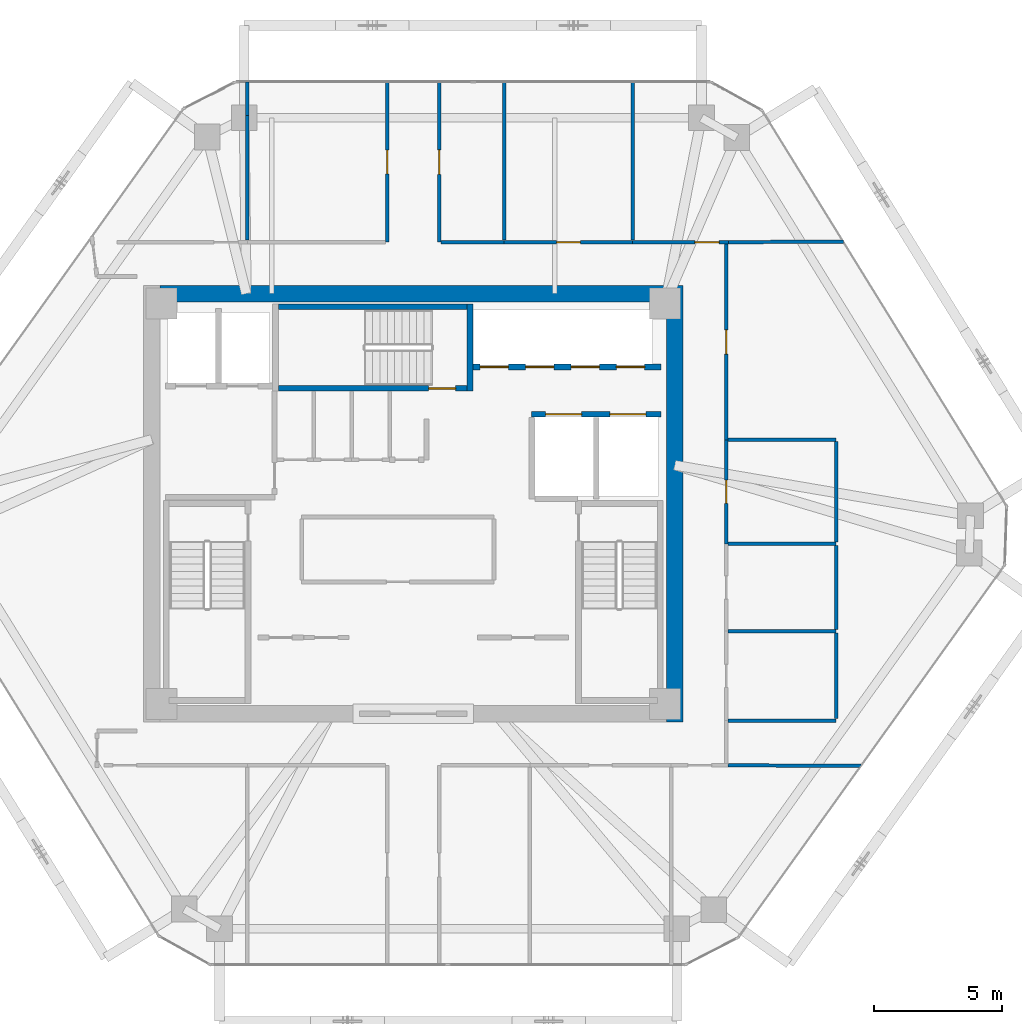
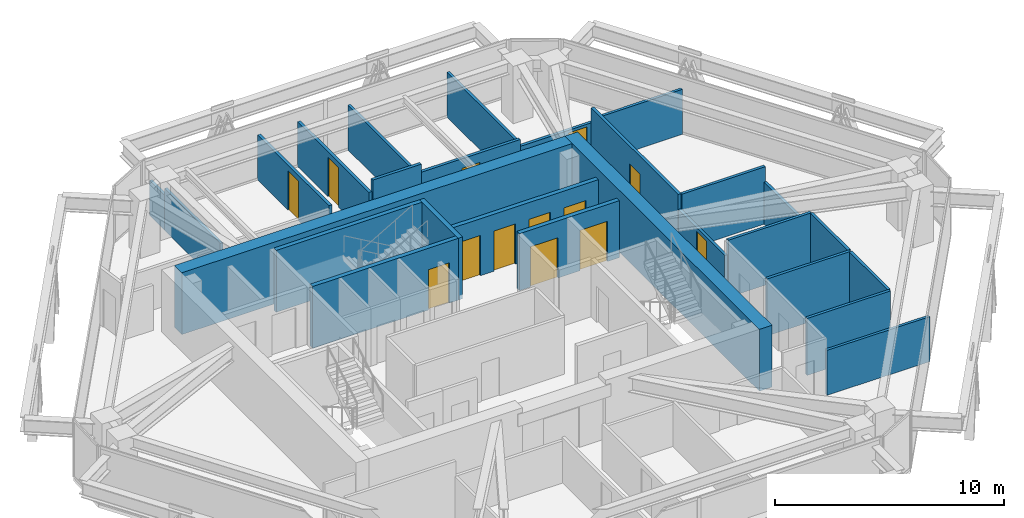
# One storey, part 12 of 14: 27 walls, 13 doors, 13 openings.
"""IFC4 building model written with IfcOpenShell, lengths in metres."""

import ifcopenshell
import ifcopenshell.guid

model = None  # the IFC model being written
_history = None  # IfcOwnerHistory: only IFC2X3 demands one
_inside = {}  # id of a spatial element -> (the spatial element, [elements in it])
_under = {}  # id of a project, library or spatial element -> (it, [spatial elements below it])
_declared = {}  # id of a project -> (the project, [libraries it declares])
_typed = {}  # id of a type object -> (the type object, [elements of that type])
_made_of = {}  # id of a material, layer set ... -> (it, [elements and type objects made of it])


def new_model(schema):
    """Start an empty IFC model of exactly this schema.

    Asked for "IFC4X3", IfcOpenShell would pick the latest addendum, in which some entities
    have other attributes; the version numbers below select the first issue.
    IFC2X3 requires an IfcOwnerHistory on every rooted entity: one is made here for all.
    """
    global model, _history
    if schema == "IFC4X3":
        model = ifcopenshell.file(schema_version=(4, 3, 0, 0))
    else:
        model = ifcopenshell.file(schema=schema)
    _inside.clear()
    _under.clear()
    _declared.clear()
    _typed.clear()
    _made_of.clear()
    _history = None
    if model.schema == "IFC2X3":
        org = make("IfcOrganization", Name="unknown")
        user = make(
            "IfcPersonAndOrganization",
            ThePerson=make("IfcPerson", FamilyName="unknown"),
            TheOrganization=org,
        )
        app = make(
            "IfcApplication",
            ApplicationDeveloper=org,
            Version="unknown",
            ApplicationFullName="unknown",
            ApplicationIdentifier="unknown",
        )
        _history = make(
            "IfcOwnerHistory",
            OwningUser=user,
            OwningApplication=app,
            ChangeAction="ADDED",
            CreationDate=0,
        )
    return model


def make(cls, **values):
    """One entity of the class cls with the attributes given. An attribute that is None is left unset."""
    return model.create_entity(
        cls, **{name: value for name, value in values.items() if value is not None}
    )


def rooted(cls, **values):
    """An entity with a GlobalId (a new one), such as an element, a storey or a relation."""
    return make(cls, GlobalId=ifcopenshell.guid.new(), OwnerHistory=_history, **values)


def si_unit(unit_type, name, prefix=None):
    """IfcSIUnit, for example si_unit("LENGTHUNIT", "METRE", prefix="MILLI")."""
    return make("IfcSIUnit", UnitType=unit_type, Prefix=prefix, Name=name)


def assignment(units):
    """IfcUnitAssignment: the units of a project."""
    return None if units is None else make("IfcUnitAssignment", Units=units)


def point(xyz):
    """IfcCartesianPoint."""
    return None if xyz is None else make("IfcCartesianPoint", Coordinates=xyz)


def direction(xyz):
    """IfcDirection."""
    return None if xyz is None else make("IfcDirection", DirectionRatios=xyz)


def frame(location, z_axis=None, x_axis=None):
    """IfcAxis2Placement3D, a coordinate frame: its origin and axes. An axis left out is left unset."""
    return make(
        "IfcAxis2Placement3D",
        Location=point(location),
        Axis=direction(z_axis),
        RefDirection=direction(x_axis),
    )


def frame_2d(location, x_axis=None):
    """IfcAxis2Placement2D, a coordinate frame in the plane: its origin and x axis."""
    return make(
        "IfcAxis2Placement2D", Location=point(location), RefDirection=direction(x_axis)
    )


def origin():
    """The frame at (0, 0, 0) with its axes left unset."""
    return frame((0.0, 0.0, 0.0))


def place(relative_to, where):
    """IfcLocalPlacement: puts the frame where relative to a parent placement (None: the world)."""
    return make(
        "IfcLocalPlacement", PlacementRelTo=relative_to, RelativePlacement=where
    )


def context(
    kind, dimensions, precision=None, world=None, true_north=None, identifier=None
):
    """IfcGeometricRepresentationContext, for example the 3D "Model" context."""
    return make(
        "IfcGeometricRepresentationContext",
        ContextIdentifier=identifier,
        ContextType=kind,
        CoordinateSpaceDimension=dimensions,
        Precision=precision,
        WorldCoordinateSystem=world,
        TrueNorth=true_north,
    )


def subcontext(parent, identifier, kind, view, scale=None):
    """IfcGeometricRepresentationSubContext, for example "Body" below "Model"."""
    return make(
        "IfcGeometricRepresentationSubContext",
        ContextIdentifier=identifier,
        ContextType=kind,
        ParentContext=parent,
        TargetScale=scale,
        TargetView=view,
    )


def project(units=None, contexts=None):
    """IfcProject with its units and contexts."""
    return rooted(
        "IfcProject",
        Name="project",
        RepresentationContexts=contexts,
        UnitsInContext=assignment(units),
    )


def spatial(cls, under=None, at=None, **own):
    """A site, building, storey or space (cls), placed at a placement, below another one or the project."""
    s = rooted(cls, ObjectPlacement=at, **own)
    if under is not None:
        _under.setdefault(under.id(), (under, []))[1].append(s)
    return s


def profile(cls, at=None, kind="AREA", **sizes):
    """A parametric profile (cls). Its sizes go by their IFC names, for example OverallWidth=200.0."""
    return make(cls, ProfileType=kind, Position=at, **sizes)


def rectangle(**sizes):
    """IfcRectangleProfileDef."""
    return profile("IfcRectangleProfileDef", **sizes)


def extrude(swept, where, along, depth):
    """IfcExtrudedAreaSolid: the profile swept, set in the frame where, extruded along a direction by depth."""
    return make(
        "IfcExtrudedAreaSolid",
        SweptArea=swept,
        Position=where,
        ExtrudedDirection=direction(along),
        Depth=depth,
    )


def shape(context_of_items, identifier, shape_type, items):
    """IfcShapeRepresentation: the items that make up one representation, for example the "Body"."""
    return make(
        "IfcShapeRepresentation",
        ContextOfItems=context_of_items,
        RepresentationIdentifier=identifier,
        RepresentationType=shape_type,
        Items=items,
    )


def source(mapping_origin, context_of_items, identifier, shape_type, items):
    """IfcRepresentationMap: a shape defined once, which mapped items show again and again."""
    return make(
        "IfcRepresentationMap",
        MappingOrigin=mapping_origin,
        MappedRepresentation=shape(context_of_items, identifier, shape_type, items),
    )


def transform(
    local_origin,
    x_axis=None,
    y_axis=None,
    z_axis=None,
    scale=None,
    scale2=None,
    scale3=None,
    uniform=True,
):
    """IfcCartesianTransformationOperator3D, or its non-uniform kind. x_axis, y_axis, z_axis: its Axis1, 2, 3."""
    if uniform:
        return make(
            "IfcCartesianTransformationOperator3D",
            Axis1=direction(x_axis),
            Axis2=direction(y_axis),
            LocalOrigin=point(local_origin),
            Scale=scale,
            Axis3=direction(z_axis),
        )
    return make(
        "IfcCartesianTransformationOperator3DnonUniform",
        Axis1=direction(x_axis),
        Axis2=direction(y_axis),
        LocalOrigin=point(local_origin),
        Scale=scale,
        Axis3=direction(z_axis),
        Scale2=scale2,
        Scale3=scale3,
    )


def mapped(mapping_source, mapping_target):
    """IfcMappedItem: shows the shape of a source again, moved by a transform."""
    return make(
        "IfcMappedItem", MappingSource=mapping_source, MappingTarget=mapping_target
    )


def material(Name=None, Category=None):
    """IfcMaterial."""
    return make("IfcMaterial", Name=Name, Category=Category)


def layer(
    of_material, thickness, ventilated=None, Name=None, Category=None, Priority=None
):
    """IfcMaterialLayer: one layer of a wall or slab, of a material (None: an air gap)."""
    return make(
        "IfcMaterialLayer",
        Material=of_material,
        LayerThickness=thickness,
        IsVentilated=ventilated,
        Name=Name,
        Category=Category,
        Priority=Priority,
    )


def layer_set(layers, Name=None):
    """IfcMaterialLayerSet."""
    return make("IfcMaterialLayerSet", MaterialLayers=layers, LayerSetName=Name)


def made_of(thing, what):
    """Note that an element or type object is made of a material, layer set ...; save() writes the relation."""
    if what is not None:
        _made_of.setdefault(what.id(), (what, []))[1].append(thing)
    return thing


def type_object(cls, material=None, **own):
    """A type object (cls), such as IfcWallType, which elements share."""
    return made_of(rooted(cls, **own), material)


def type_shapes(of_type, sources):
    """Give a type object the sources (RepresentationMaps) that its elements show as mapped items."""
    of_type.RepresentationMaps = sources


def element(
    cls,
    number,
    at=None,
    inside=None,
    cuts=None,
    type_object=None,
    material=None,
    context=None,
    identifier="Body",
    shape_type=None,
    held_by="IfcProductDefinitionShape",
    body=None,
    shapes=None,
    **own,
):
    """One element of the class cls, such as IfcWall. Its Tag is "e" and its number.

    at: its placement. inside: the storey or other place that contains it. cuts: it is an
    opening in that element (IfcRelVoidsElement). A single representation is given by context,
    identifier, shape_type and body (its items); several are given by shapes. held_by: the class
    of the entity that holds the representations. save() writes the other relations.
    """
    e = rooted(cls, Tag="e%d" % number, ObjectPlacement=at, **own)
    if body is not None:
        shapes = [shape(context, identifier, shape_type, body)]
    if shapes is not None:
        e.Representation = make(held_by, Representations=shapes)
    if inside is not None:
        _inside.setdefault(inside.id(), (inside, []))[1].append(e)
    if cuts is not None:
        rooted(
            "IfcRelVoidsElement", RelatingBuildingElement=cuts, RelatedOpeningElement=e
        )
    if type_object is not None:
        _typed.setdefault(type_object.id(), (type_object, []))[1].append(e)
    return made_of(e, material)


def fill(opening, filler):
    """IfcRelFillsElement: the door or window that sits in an opening."""
    return rooted(
        "IfcRelFillsElement",
        RelatingOpeningElement=opening,
        RelatedBuildingElement=filler,
    )


def aggregate(whole, parts):
    """IfcRelAggregates: a whole, such as a stair, and the parts it consists of."""
    return rooted("IfcRelAggregates", RelatingObject=whole, RelatedObjects=parts)


def save(model, path):
    """Write the relations noted so far, then the file.

    IfcRelAggregates (storeys below a building ...), IfcRelContainedInSpatialStructure (elements
    in a storey), IfcRelDefinesByType, IfcRelAssociatesMaterial and IfcRelDeclares: one each for
    every whole, place, type object, material and project.
    """
    for whole, parts in _under.values():
        aggregate(whole, parts)
    for where, things in _inside.values():
        rooted(
            "IfcRelContainedInSpatialStructure",
            RelatedElements=things,
            RelatingStructure=where,
        )
    for kind, things in _typed.values():
        rooted("IfcRelDefinesByType", RelatedObjects=things, RelatingType=kind)
    for what, things in _made_of.values():
        rooted("IfcRelAssociatesMaterial", RelatedObjects=things, RelatingMaterial=what)
    for by, libraries in _declared.values():
        rooted("IfcRelDeclares", RelatingContext=by, RelatedDefinitions=libraries)
    model.write(path)


model = new_model("IFC4")

# Units and contexts
model_context = context("Model", 3, precision=1e-05, world=origin(), true_north=direction((0.0, 1.0)))
body_context = subcontext(model_context, "Body", "Model", "MODEL_VIEW")
ifc_project = project(units=[si_unit("LENGTHUNIT", "METRE"), si_unit("AREAUNIT", "SQUARE_METRE"), si_unit("VOLUMEUNIT", "CUBIC_METRE"), si_unit("PLANEANGLEUNIT", "RADIAN"), si_unit("MASSUNIT", "GRAM", prefix="KILO")], contexts=[model_context])

# Site, building, storey
site_placement = place(None, origin())
site = spatial("IfcSite", under=ifc_project, at=site_placement, CompositionType="ELEMENT")
building_placement = place(site_placement, origin())
building = spatial("IfcBuilding", under=site, at=building_placement, Name="Durnholm Broadcast Tower", CompositionType="ELEMENT")
storey_placement = place(building_placement, frame((0.0, 0.0, 180.39990234375)))
storey = spatial("IfcBuildingStorey", under=building, at=storey_placement, Name="L49", CompositionType="ELEMENT", Elevation=180.39990234375)

# Walls
ifc_material_1 = material(Name="Concrete C70/85", Category="concrete")
ifc_layer_1 = layer(ifc_material_1, 0.64990234375)
ifc_layer_set_1 = layer_set([ifc_layer_1], Name="Concrete C70/85")
wall_type_1 = type_object("IfcWallType", Name="WALL-CW-650", PredefinedType="SHEAR", material=ifc_layer_set_1)
wall_1_placement = place(storey_placement, frame((10.175048828125, -8.5, 0.0), z_axis=(0.0, 0.0, 1.0), x_axis=(0.0, 1.0, 0.0)))
element("IfcWall", 1, at=wall_1_placement, inside=storey, type_object=wall_type_1, Name="L49 central core shear wall CW-EAST", PredefinedType="SHEAR", context=body_context, shape_type="SweptSolid", body=[
    extrude(rectangle(XDim=17.0, YDim=0.64990234375, at=frame_2d((8.5, 0.0))), origin(), (0.0, 0.0, 1.0), 3.300048828125),
])
wall_2_placement = place(storey_placement, frame((-9.85009765625, 8.175048828125, 0.0), z_axis=(0.0, 0.0, 1.0), x_axis=(1.0, 0.0, 0.0)))
element("IfcWall", 2, at=wall_2_placement, inside=storey, type_object=wall_type_1, Name="L49 central core shear wall CW-N", PredefinedType="SHEAR", context=body_context, shape_type="SweptSolid", body=[
    extrude(rectangle(XDim=19.7001953125, YDim=0.64990234375, at=frame_2d((9.85009765625, 0.0))), origin(), (0.0, 0.0, 1.0), 3.300048828125),
])
ifc_material_2 = material(Name="Gypsum Metal Stud Partition", Category="concrete")
ifc_layer_2 = layer(ifc_material_2, 0.135009765625)
ifc_layer_set_2 = layer_set([ifc_layer_2], Name="Gypsum Metal Stud Partition")
wall_type_2 = type_object("IfcWallType", Name="WALL-PART-135", PredefinedType="PARTITIONING", material=ifc_layer_set_2)
wall_3_placement = place(storey_placement, frame((-6.4599609375, 15.10205078125, 0.0), z_axis=(0.0, 0.0, 1.0), x_axis=(0.0, -1.0, 0.0)))
element("IfcWall", 3, at=wall_3_placement, inside=storey, type_object=wall_type_2, Name="L49 room dividing partition 12.13", PredefinedType="PARTITIONING", context=body_context, shape_type="SweptSolid", body=[
    extrude(rectangle(XDim=4.843017578125, YDim=0.135009765625, at=frame_2d((2.42138671875, 0.0))), origin(), (0.0, 0.0, 1.0), 2.241943359375),
])
wall_4_placement = place(storey_placement, frame((-6.4599609375, 16.41796875, 0.0), z_axis=(0.0, 0.0, 1.0), x_axis=(0.0, -1.0, 0.0)))
element("IfcWall", 4, at=wall_4_placement, inside=storey, type_object=wall_type_2, Name="L49 room dividing partition 12.13", PredefinedType="PARTITIONING", context=body_context, shape_type="SweptSolid", body=[
    extrude(rectangle(XDim=1.31591796875, YDim=0.135009765625, at=frame_2d((0.657958984375, 0.0))), origin(), (0.0, 0.0, 1.0), 1.877197265625),
])
for number, where, z_axis, x_axis, name in (
    (5, (3.5400390625, 16.41796875, 0.0), (0.0, 0.0, 1.0), (0.0, -1.0, 0.0), "L49 room dividing partition 14.15"),
    (6, (8.5400390625, 16.41796875, 0.0), (0.0, 0.0, 1.0), (0.0, -1.0, 0.0), "L49 room dividing partition 15.16"),
):
    element("IfcWall", number, at=place(storey_placement, frame(where, z_axis=z_axis, x_axis=x_axis)), inside=storey, type_object=wall_type_2, Name=name, PredefinedType="PARTITIONING", context=body_context, shape_type="SweptSolid", body=[
        extrude(rectangle(XDim=6.158935546875, YDim=0.135009765625, at=frame_2d((3.07958984375, 0.0))), origin(), (0.0, 0.0, 1.0), 2.39892578125),
    ])
wall_5_placement = place(storey_placement, frame((16.739990234375, 10.200927734375, 0.0), z_axis=(0.0, 0.0, 1.0), x_axis=(-0.999989522694, -0.004577608714, 0.0)))
element("IfcWall", 7, at=wall_5_placement, inside=storey, type_object=wall_type_2, Name="L49 room dividing partition 16.24", PredefinedType="PARTITIONING", context=body_context, shape_type="SweptSolid", body=[
    extrude(rectangle(XDim=4.47998046875, YDim=0.135009765625, at=frame_2d((2.239990234375, 0.0))), origin(), (0.0, 0.0, 1.0), 2.39892578125),
])
wall_6_placement = place(storey_placement, frame((12.260009765625, -10.180419921875, 0.0), z_axis=(0.0, 0.0, 1.0), x_axis=(0.999990144117, -0.004439782427, 0.0)))
element("IfcWall", 8, at=wall_6_placement, inside=storey, type_object=wall_type_2, Name="L49 room dividing partition 21.24", PredefinedType="PARTITIONING", context=body_context, shape_type="SweptSolid", body=[
    extrude(rectangle(XDim=5.1689453125, YDim=0.135009765625, at=frame_2d((2.58447265625, 0.0))), origin(), (0.0, 0.0, 1.0), 2.39892578125),
])

# Wall, opening, door
ifc_material_3 = material(Name="Acoustic Gypsum Stud Partition", Category="concrete")
ifc_layer_3 = layer(ifc_material_3, 0.14990234375)
ifc_layer_set_3 = layer_set([ifc_layer_3], Name="Acoustic Gypsum Stud Partition")
wall_type_3 = type_object("IfcWallType", Name="WALL-PART-150", PredefinedType="PARTITIONING", material=ifc_layer_set_3)
wall_7_placement = place(storey_placement, frame((-1.010009765625, 16.41796875, 0.0), z_axis=(0.0, 0.0, 1.0), x_axis=(0.0, -1.0, 0.0)))
wall_7 = element("IfcWall", 9, at=wall_7_placement, inside=storey, type_object=wall_type_3, Name="L49 Rough-Cut Office 1 corridor partition", PredefinedType="PARTITIONING", context=body_context, shape_type="SweptSolid", body=[
    extrude(rectangle(XDim=6.238037109375, YDim=0.14990234375, at=frame_2d((3.119140625, 0.0))), origin(), (0.0, 0.0, 1.0), 2.39892578125),
])
opening_1_placement = place(wall_7_placement, frame((2.658935546875, 0.0, 0.0)))
opening_1 = element("IfcOpeningElement", 10, at=opening_1_placement, cuts=wall_7, Name="Opening DR-92R", PredefinedType="OPENING", context=body_context, shape_type="SweptSolid", body=[
    extrude(rectangle(XDim=0.919921875, YDim=2.10009765625, at=frame_2d((0.4599609375, 1.050048828125))), frame((0.0, 0.0849609375, 0.0), z_axis=(0.0, -1.0, 0.0), x_axis=(1.0, 0.0, 0.0)), (0.0, 0.0, 1.0), 0.169921875),
])
ifc_material_4 = material(Name="Oak Veneer Office Door", Category="wood")
ifc_layer_4 = layer(ifc_material_4, 0.050048828125)
ifc_layer_set_4 = layer_set([ifc_layer_4], Name="Oak Veneer Office Door")
door_type_1 = type_object("IfcDoorType", Name="DOOR-RM-920R", OperationType="NOTDEFINED", PredefinedType="DOOR", material=ifc_layer_set_4)
shared_shape_1 = source(origin(), body_context, "Body", "SweptSolid", [
    extrude(rectangle(XDim=0.919921875, YDim=2.10009765625, at=frame_2d((0.4599609375, 1.050048828125))), frame((0.0, 0.02490234375, 0.0), z_axis=(0.0, -1.0, 0.0), x_axis=(1.0, 0.0, 0.0)), (0.0, 0.0, 1.0), 0.050048828125),
])
type_shapes(door_type_1, [shared_shape_1])
door_1_placement = place(opening_1_placement, origin())
door_1 = element("IfcDoor", 11, at=door_1_placement, inside=storey, type_object=door_type_1, Name="L49 Rough-Cut Office 1 entrance door", OperationType="SINGLE_SWING_RIGHT", OverallHeight=2.10009765625, OverallWidth=0.919921875, PredefinedType="DOOR", context=body_context, shape_type="MappedRepresentation", body=[
    mapped(shared_shape_1, transform((0.0, 0.0, 0.0), x_axis=(1.0, 0.0, 0.0), y_axis=(0.0, 1.0, 0.0), z_axis=(0.0, 0.0, 1.0), scale=1.0)),
])
fill(opening_1, door_1)

wall_8_placement = place(storey_placement, frame((1.010009765625, 10.179931640625, 0.0), z_axis=(0.0, 0.0, 1.0), x_axis=(0.0, 1.0, 0.0)))
wall_8 = element("IfcWall", 12, at=wall_8_placement, inside=storey, type_object=wall_type_3, Name="L49 Rough-Cut Office 2 corridor partition", PredefinedType="PARTITIONING", context=body_context, shape_type="SweptSolid", body=[
    extrude(rectangle(XDim=6.238037109375, YDim=0.14990234375, at=frame_2d((3.119140625, 0.0))), origin(), (0.0, 0.0, 1.0), 2.39892578125),
])
opening_2_placement = place(wall_8_placement, frame((2.64404296875, 0.0, 0.0)))
opening_2 = element("IfcOpeningElement", 13, at=opening_2_placement, cuts=wall_8, Name="Opening DR-95L", PredefinedType="OPENING", context=body_context, shape_type="SweptSolid", body=[
    extrude(rectangle(XDim=0.949951171875, YDim=2.10009765625, at=frame_2d((0.47509765625, 1.050048828125))), frame((0.0, 0.0849609375, 0.0), z_axis=(0.0, -1.0, 0.0), x_axis=(1.0, 0.0, 0.0)), (0.0, 0.0, 1.0), 0.169921875),
])
ifc_material_5 = material(Name="Acoustic Oak Veneer Timber Door", Category="wood")
ifc_layer_5 = layer(ifc_material_5, 0.050048828125)
ifc_layer_set_5 = layer_set([ifc_layer_5], Name="Acoustic Oak Veneer Timber Door")
door_type_2 = type_object("IfcDoorType", Name="DOOR-RM-950L", OperationType="NOTDEFINED", PredefinedType="DOOR", material=ifc_layer_set_5)
shared_shape_2 = source(origin(), body_context, "Body", "SweptSolid", [
    extrude(rectangle(XDim=0.949951171875, YDim=2.10009765625, at=frame_2d((0.47509765625, 1.050048828125))), frame((0.0, 0.02490234375, 0.0), z_axis=(0.0, -1.0, 0.0), x_axis=(1.0, 0.0, 0.0)), (0.0, 0.0, 1.0), 0.050048828125),
])
type_shapes(door_type_2, [shared_shape_2])
door_2_placement = place(opening_2_placement, origin())
door_2 = element("IfcDoor", 14, at=door_2_placement, inside=storey, type_object=door_type_2, Name="L49 Rough-Cut Office 2 entrance door", OperationType="SINGLE_SWING_LEFT", OverallHeight=2.10009765625, OverallWidth=0.949951171875, PredefinedType="DOOR", context=body_context, shape_type="MappedRepresentation", body=[
    mapped(shared_shape_2, transform((0.0, 0.0, 0.0), x_axis=(1.0, 0.0, 0.0), y_axis=(0.0, 1.0, 0.0), z_axis=(0.0, 0.0, 1.0), scale=1.0)),
])
fill(opening_2, door_2)

# Wall
wall_9_placement = place(storey_placement, frame((3.5400390625, 10.179931640625, 0.0), z_axis=(0.0, 0.0, 1.0), x_axis=(-1.0, 0.0, 0.0)))
element("IfcWall", 15, at=wall_9_placement, inside=storey, type_object=wall_type_3, Name="L49 Rough-Cut Office 2 corridor partition", PredefinedType="PARTITIONING", context=body_context, shape_type="SweptSolid", body=[
    extrude(rectangle(XDim=2.450927734375, YDim=0.14990234375, at=frame_2d((1.2255859375, 0.0))), origin(), (0.0, 0.0, 1.0), 3.045166015625),
])

# Wall, opening, door
wall_10_placement = place(storey_placement, frame((8.5400390625, 10.179931640625, 0.0), z_axis=(0.0, 0.0, 1.0), x_axis=(-1.0, 0.0, 0.0)))
wall_10 = element("IfcWall", 16, at=wall_10_placement, inside=storey, type_object=wall_type_3, Name="L49 Archival Office corridor partition", PredefinedType="PARTITIONING", context=body_context, shape_type="SweptSolid", body=[
    extrude(rectangle(XDim=5.0, YDim=0.14990234375, at=frame_2d((2.5, 0.0))), origin(), (0.0, 0.0, 1.0), 2.6083984375),
])
opening_3_placement = place(wall_10_placement, frame((2.0400390625, 0.0, 0.0)))
opening_3 = element("IfcOpeningElement", 17, at=opening_3_placement, cuts=wall_10, Name="Opening DR-92R", PredefinedType="OPENING", context=body_context, shape_type="SweptSolid", body=[
    extrude(rectangle(XDim=0.919921875, YDim=2.10009765625, at=frame_2d((0.4599609375, 1.050048828125))), frame((0.0, 0.0849609375, 0.0), z_axis=(0.0, -1.0, 0.0), x_axis=(1.0, 0.0, 0.0)), (0.0, 0.0, 1.0), 0.169921875),
])
door_3_placement = place(opening_3_placement, origin())
door_3 = element("IfcDoor", 18, at=door_3_placement, inside=storey, type_object=door_type_1, Name="L49 Archival Office entrance door", OperationType="SINGLE_SWING_RIGHT", OverallHeight=2.10009765625, OverallWidth=0.919921875, PredefinedType="DOOR", context=body_context, shape_type="MappedRepresentation", body=[
    mapped(shared_shape_1, transform((0.0, 0.0, 0.0), x_axis=(1.0, 0.0, 0.0), y_axis=(0.0, 1.0, 0.0), z_axis=(0.0, 0.0, 1.0), scale=1.0)),
])
fill(opening_3, door_3)

wall_11_placement = place(storey_placement, frame((12.260009765625, 10.179931640625, 0.0), z_axis=(0.0, 0.0, 1.0), x_axis=(-1.0, 0.0, 0.0)))
wall_11 = element("IfcWall", 19, at=wall_11_placement, inside=storey, type_object=wall_type_3, Name="L49 Open Plan Broadcast Workspace 6 corridor partition", PredefinedType="PARTITIONING", context=body_context, shape_type="SweptSolid", body=[
    extrude(rectangle(XDim=3.719970703125, YDim=0.14990234375, at=frame_2d((1.85986328125, 0.0))), origin(), (0.0, 0.0, 1.0), 2.241943359375),
])
opening_4_placement = place(wall_11_placement, frame((0.35009765625, 0.0, 0.0)))
opening_4 = element("IfcOpeningElement", 20, at=opening_4_placement, cuts=wall_11, Name="Opening DR-95L", PredefinedType="OPENING", context=body_context, shape_type="SweptSolid", body=[
    extrude(rectangle(XDim=0.949951171875, YDim=2.10009765625, at=frame_2d((0.47509765625, 1.050048828125))), frame((0.0, 0.0849609375, 0.0), z_axis=(0.0, -1.0, 0.0), x_axis=(1.0, 0.0, 0.0)), (0.0, 0.0, 1.0), 0.169921875),
])
door_4_placement = place(opening_4_placement, origin())
door_4 = element("IfcDoor", 21, at=door_4_placement, inside=storey, type_object=door_type_2, Name="L49 Open Plan Broadcast Workspace 6 entrance door", OperationType="SINGLE_SWING_LEFT", OverallHeight=2.10009765625, OverallWidth=0.949951171875, PredefinedType="DOOR", context=body_context, shape_type="MappedRepresentation", body=[
    mapped(shared_shape_2, transform((0.0, 0.0, 0.0), x_axis=(1.0, 0.0, 0.0), y_axis=(0.0, 1.0, 0.0), z_axis=(0.0, 0.0, 1.0), scale=1.0)),
])
fill(opening_4, door_4)

wall_12_placement = place(storey_placement, frame((12.179931640625, 2.489990234375, 0.0), z_axis=(0.0, 0.0, 1.0), x_axis=(0.0, 1.0, 0.0)))
wall_12 = element("IfcWall", 22, at=wall_12_placement, inside=storey, type_object=wall_type_3, Name="L49 Archival Office corridor partition", PredefinedType="PARTITIONING", context=body_context, shape_type="SweptSolid", body=[
    extrude(rectangle(XDim=7.611083984375, YDim=0.14990234375, at=frame_2d((3.8056640625, 0.0))), origin(), (0.0, 0.0, 1.0), 3.045166015625),
])
opening_5_placement = place(wall_12_placement, frame((3.33056640625, 0.0, 0.0)))
opening_5 = element("IfcOpeningElement", 23, at=opening_5_placement, cuts=wall_12, Name="Opening DR-95R", PredefinedType="OPENING", context=body_context, shape_type="SweptSolid", body=[
    extrude(rectangle(XDim=0.949951171875, YDim=2.10009765625, at=frame_2d((0.47509765625, 1.050048828125))), frame((0.0, 0.0849609375, 0.0), z_axis=(0.0, -1.0, 0.0), x_axis=(1.0, 0.0, 0.0)), (0.0, 0.0, 1.0), 0.169921875),
])
ifc_layer_6 = layer(ifc_material_5, 0.050048828125)
ifc_layer_set_6 = layer_set([ifc_layer_6], Name="Acoustic Oak Veneer Timber Door")
door_type_3 = type_object("IfcDoorType", Name="DOOR-RM-950R", OperationType="NOTDEFINED", PredefinedType="DOOR", material=ifc_layer_set_6)
shared_shape_3 = source(origin(), body_context, "Body", "SweptSolid", [
    extrude(rectangle(XDim=0.949951171875, YDim=2.10009765625, at=frame_2d((0.47509765625, 1.050048828125))), frame((0.0, 0.02490234375, 0.0), z_axis=(0.0, -1.0, 0.0), x_axis=(1.0, 0.0, 0.0)), (0.0, 0.0, 1.0), 0.050048828125),
])
type_shapes(door_type_3, [shared_shape_3])
door_5_placement = place(opening_5_placement, origin())
door_5 = element("IfcDoor", 24, at=door_5_placement, inside=storey, type_object=door_type_3, Name="L49 Archival Office entrance door", OperationType="SINGLE_SWING_RIGHT", OverallHeight=2.10009765625, OverallWidth=0.949951171875, PredefinedType="DOOR", context=body_context, shape_type="MappedRepresentation", body=[
    mapped(shared_shape_3, transform((0.0, 0.0, 0.0), x_axis=(1.0, 0.0, 0.0), y_axis=(0.0, 1.0, 0.0), z_axis=(0.0, 0.0, 1.0), scale=1.0)),
])
fill(opening_5, door_5)

# Wall, openings, doors
ifc_material_6 = material(Name="Concrete Blockwork C30/37", Category="masonry")
ifc_layer_7 = layer(ifc_material_6, 0.219970703125)
ifc_layer_set_7 = layer_set([ifc_layer_7], Name="Concrete Blockwork C30/37")
wall_type_4 = type_object("IfcWallType", Name="WALL-SHAFT-220", PredefinedType="SOLIDWALL", material=ifc_layer_set_7)
wall_13_placement = place(storey_placement, frame((4.60009765625, 3.47998046875, 0.0), z_axis=(0.0, 0.0, 1.0), x_axis=(1.0, 0.0, 0.0)))
wall_13 = element("IfcWall", 25, at=wall_13_placement, inside=storey, type_object=wall_type_4, Name="L49 freight service lifts north front wall", PredefinedType="SOLIDWALL", context=body_context, shape_type="SweptSolid", body=[
    extrude(rectangle(XDim=5.0498046875, YDim=0.219970703125, at=frame_2d((2.52490234375, 0.0))), origin(), (0.0, 0.0, 1.0), 3.045166015625),
])
opening_6_placement = place(wall_13_placement, frame((0.550048828125, 0.0, 0.0)))
opening_6 = element("IfcOpeningElement", 26, at=opening_6_placement, cuts=wall_13, Name="Opening LD-SVL-2", PredefinedType="OPENING", context=body_context, shape_type="SweptSolid", body=[
    extrude(rectangle(XDim=1.39990234375, YDim=2.14990234375, at=frame_2d((0.699951171875, 1.074951171875))), frame((0.0, 0.1201171875, 0.0), z_axis=(0.0, -1.0, 0.0), x_axis=(1.0, 0.0, 0.0)), (0.0, 0.0, 1.0), 0.239990234375),
])
opening_7_placement = place(wall_13_placement, frame((3.050048828125, 0.0, 0.0)))
opening_7 = element("IfcOpeningElement", 27, at=opening_7_placement, cuts=wall_13, Name="Opening LD-SVL-1", PredefinedType="OPENING", context=body_context, shape_type="SweptSolid", body=[
    extrude(rectangle(XDim=1.39990234375, YDim=2.14990234375, at=frame_2d((0.699951171875, 1.074951171875))), frame((0.0, 0.1201171875, 0.0), z_axis=(0.0, -1.0, 0.0), x_axis=(1.0, 0.0, 0.0)), (0.0, 0.0, 1.0), 0.239990234375),
])
ifc_material_7 = material(Name="Freight Elevator Bi-Parting Sliding Landing Door", Category="steel")
ifc_layer_8 = layer(ifc_material_7, 0.050048828125)
ifc_layer_set_8 = layer_set([ifc_layer_8], Name="Freight Elevator Bi-Parting Sliding Landing Door")
door_type_4 = type_object("IfcDoorType", Name="DOOR-LIFT-SVL", OperationType="DOUBLE_DOOR_SLIDING", PredefinedType="DOOR", material=ifc_layer_set_8)
shared_shape_4 = source(origin(), body_context, "Body", "SweptSolid", [
    extrude(rectangle(XDim=1.39990234375, YDim=2.14990234375, at=frame_2d((0.699951171875, 1.074951171875))), frame((0.0, 0.02490234375, 0.0), z_axis=(0.0, -1.0, 0.0), x_axis=(1.0, 0.0, 0.0)), (0.0, 0.0, 1.0), 0.050048828125),
])
type_shapes(door_type_4, [shared_shape_4])
door_6_placement = place(opening_6_placement, origin())
door_6 = element("IfcDoor", 28, at=door_6_placement, inside=storey, type_object=door_type_4, Name="L49 freight service elevator SVL-2 sliding landing door", OperationType="DOUBLE_DOOR_SLIDING", OverallHeight=2.14990234375, OverallWidth=1.39990234375, PredefinedType="DOOR", context=body_context, shape_type="MappedRepresentation", body=[
    mapped(shared_shape_4, transform((0.0, 0.0, 0.0), x_axis=(1.0, 0.0, 0.0), y_axis=(0.0, 1.0, 0.0), z_axis=(0.0, 0.0, 1.0), scale=1.0)),
])
fill(opening_6, door_6)
door_7_placement = place(opening_7_placement, origin())
door_7 = element("IfcDoor", 29, at=door_7_placement, inside=storey, type_object=door_type_4, Name="L49 freight service elevator SVL-1 sliding landing door", OperationType="DOUBLE_DOOR_SLIDING", OverallHeight=2.14990234375, OverallWidth=1.39990234375, PredefinedType="DOOR", context=body_context, shape_type="MappedRepresentation", body=[
    mapped(shared_shape_4, transform((0.0, 0.0, 0.0), x_axis=(1.0, 0.0, 0.0), y_axis=(0.0, 1.0, 0.0), z_axis=(0.0, 0.0, 1.0), scale=1.0)),
])
fill(opening_7, door_7)

wall_14_placement = place(storey_placement, frame((2.324951171875, 5.320068359375, 0.0), z_axis=(0.0, 0.0, 1.0), x_axis=(1.0, 0.0, 0.0)))
wall_14 = element("IfcWall", 30, at=wall_14_placement, inside=storey, type_object=wall_type_4, Name="L49 high-rise bank P3 south front wall", PredefinedType="SOLIDWALL", context=body_context, shape_type="SweptSolid", body=[
    extrude(rectangle(XDim=7.324951171875, YDim=0.219970703125, at=frame_2d((3.66259765625, 0.0))), origin(), (0.0, 0.0, 1.0), 3.045166015625),
])
opening_8_placement = place(wall_14_placement, frame((0.27490234375, 0.0, 0.0)))
opening_8 = element("IfcOpeningElement", 31, at=opening_8_placement, cuts=wall_14, Name="Opening LD-LP3-1", PredefinedType="OPENING", context=body_context, shape_type="SweptSolid", body=[
    extrude(rectangle(XDim=1.10009765625, YDim=2.14990234375, at=frame_2d((0.550048828125, 1.074951171875))), frame((0.0, 0.1201171875, 0.0), z_axis=(0.0, -1.0, 0.0), x_axis=(1.0, 0.0, 0.0)), (0.0, 0.0, 1.0), 0.239990234375),
])
opening_9_placement = place(wall_14_placement, frame((2.044921875, 0.0, 0.0)))
opening_9 = element("IfcOpeningElement", 32, at=opening_9_placement, cuts=wall_14, Name="Opening LD-LP3-2", PredefinedType="OPENING", context=body_context, shape_type="SweptSolid", body=[
    extrude(rectangle(XDim=1.10009765625, YDim=2.14990234375, at=frame_2d((0.550048828125, 1.074951171875))), frame((0.0, 0.1201171875, 0.0), z_axis=(0.0, -1.0, 0.0), x_axis=(1.0, 0.0, 0.0)), (0.0, 0.0, 1.0), 0.239990234375),
])
opening_10_placement = place(wall_14_placement, frame((3.81494140625, 0.0, 0.0)))
opening_10 = element("IfcOpeningElement", 33, at=opening_10_placement, cuts=wall_14, Name="Opening LD-LP3-3", PredefinedType="OPENING", context=body_context, shape_type="SweptSolid", body=[
    extrude(rectangle(XDim=1.10009765625, YDim=2.14990234375, at=frame_2d((0.550048828125, 1.074951171875))), frame((0.0, 0.1201171875, 0.0), z_axis=(0.0, -1.0, 0.0), x_axis=(1.0, 0.0, 0.0)), (0.0, 0.0, 1.0), 0.239990234375),
])
opening_11_placement = place(wall_14_placement, frame((5.5849609375, 0.0, 0.0)))
opening_11 = element("IfcOpeningElement", 34, at=opening_11_placement, cuts=wall_14, Name="Opening LD-LP3-4", PredefinedType="OPENING", context=body_context, shape_type="SweptSolid", body=[
    extrude(rectangle(XDim=1.10009765625, YDim=2.14990234375, at=frame_2d((0.550048828125, 1.074951171875))), frame((0.0, 0.1201171875, 0.0), z_axis=(0.0, -1.0, 0.0), x_axis=(1.0, 0.0, 0.0)), (0.0, 0.0, 1.0), 0.239990234375),
])
ifc_material_8 = material(Name="Stainless Steel Sliding Elevator Landing Door", Category="steel")
ifc_layer_9 = layer(ifc_material_8, 0.050048828125)
ifc_layer_set_9 = layer_set([ifc_layer_9], Name="Stainless Steel Sliding Elevator Landing Door")
door_type_5 = type_object("IfcDoorType", Name="DOOR-LIFT-PAX", OperationType="DOUBLE_DOOR_SLIDING", PredefinedType="DOOR", material=ifc_layer_set_9)
shared_shape_5 = source(origin(), body_context, "Body", "SweptSolid", [
    extrude(rectangle(XDim=1.10009765625, YDim=2.14990234375, at=frame_2d((0.550048828125, 1.074951171875))), frame((0.0, 0.02490234375, 0.0), z_axis=(0.0, -1.0, 0.0), x_axis=(1.0, 0.0, 0.0)), (0.0, 0.0, 1.0), 0.050048828125),
])
type_shapes(door_type_5, [shared_shape_5])
door_8_placement = place(opening_8_placement, origin())
door_8 = element("IfcDoor", 35, at=door_8_placement, inside=storey, type_object=door_type_5, Name="L49 high-rise elevator LP3-1 sliding landing door", OperationType="DOUBLE_DOOR_SLIDING", OverallHeight=2.14990234375, OverallWidth=1.10009765625, PredefinedType="DOOR", context=body_context, shape_type="MappedRepresentation", body=[
    mapped(shared_shape_5, transform((0.0, 0.0, 0.0), x_axis=(1.0, 0.0, 0.0), y_axis=(0.0, 1.0, 0.0), z_axis=(0.0, 0.0, 1.0), scale=1.0)),
])
fill(opening_8, door_8)
door_9_placement = place(opening_9_placement, origin())
door_9 = element("IfcDoor", 36, at=door_9_placement, inside=storey, type_object=door_type_5, Name="L49 high-rise elevator LP3-2 sliding landing door", OperationType="DOUBLE_DOOR_SLIDING", OverallHeight=2.14990234375, OverallWidth=1.10009765625, PredefinedType="DOOR", context=body_context, shape_type="MappedRepresentation", body=[
    mapped(shared_shape_5, transform((0.0, 0.0, 0.0), x_axis=(1.0, 0.0, 0.0), y_axis=(0.0, 1.0, 0.0), z_axis=(0.0, 0.0, 1.0), scale=1.0)),
])
fill(opening_9, door_9)
door_10_placement = place(opening_10_placement, origin())
door_10 = element("IfcDoor", 37, at=door_10_placement, inside=storey, type_object=door_type_5, Name="L49 high-rise elevator LP3-3 sliding landing door", OperationType="DOUBLE_DOOR_SLIDING", OverallHeight=2.14990234375, OverallWidth=1.10009765625, PredefinedType="DOOR", context=body_context, shape_type="MappedRepresentation", body=[
    mapped(shared_shape_5, transform((0.0, 0.0, 0.0), x_axis=(1.0, 0.0, 0.0), y_axis=(0.0, 1.0, 0.0), z_axis=(0.0, 0.0, 1.0), scale=1.0)),
])
fill(opening_10, door_10)
door_11_placement = place(opening_11_placement, origin())
door_11 = element("IfcDoor", 38, at=door_11_placement, inside=storey, type_object=door_type_5, Name="L49 high-rise elevator LP3-4 sliding landing door", OperationType="DOUBLE_DOOR_SLIDING", OverallHeight=2.14990234375, OverallWidth=1.10009765625, PredefinedType="DOOR", context=body_context, shape_type="MappedRepresentation", body=[
    mapped(shared_shape_5, transform((0.0, 0.0, 0.0), x_axis=(1.0, 0.0, 0.0), y_axis=(0.0, 1.0, 0.0), z_axis=(0.0, 0.0, 1.0), scale=1.0)),
])
fill(opening_11, door_11)

# Wall
ifc_material_9 = material(Name="Concrete C50/60", Category="concrete")
ifc_layer_10 = layer(ifc_material_9, 0.219970703125)
ifc_layer_set_10 = layer_set([ifc_layer_10], Name="Concrete C50/60")
wall_type_5 = type_object("IfcWallType", Name="WALL-SW-220", PredefinedType="SHEAR", material=ifc_layer_set_10)
wall_15_placement = place(storey_placement, frame((2.2099609375, 4.3798828125, -0.239990234375), z_axis=(0.0, 0.0, 1.0), x_axis=(0.0, 1.0, 0.0)))
element("IfcWall", 39, at=wall_15_placement, inside=storey, type_object=wall_type_5, Name="L49 stair ST-3 structural shaft wall E", PredefinedType="SHEAR", context=body_context, shape_type="SweptSolid", body=[
    extrude(rectangle(XDim=3.400146484375, YDim=0.219970703125, at=frame_2d((1.7001953125, 0.0))), origin(), (0.0, 0.0, 1.0), 3.300048828125),
])

# Wall, opening, door
wall_16_placement = place(storey_placement, frame((-5.25, 4.489990234375, -0.239990234375), z_axis=(0.0, 0.0, 1.0), x_axis=(1.0, 0.0, 0.0)))
wall_16 = element("IfcWall", 40, at=wall_16_placement, inside=storey, type_object=wall_type_5, Name="L49 stair ST-3 structural shaft wall S", PredefinedType="SHEAR", context=body_context, shape_type="SweptSolid", body=[
    extrude(rectangle(XDim=7.35009765625, YDim=0.219970703125, at=frame_2d((3.675048828125, 0.0))), origin(), (0.0, 0.0, 1.0), 3.300048828125),
])
opening_12_placement = place(wall_16_placement, frame((5.85009765625, 0.0, 0.0)))
opening_12 = element("IfcOpeningElement", 41, at=opening_12_placement, cuts=wall_16, Name="Opening DS-90L", PredefinedType="OPENING", context=body_context, shape_type="SweptSolid", body=[
    extrude(rectangle(XDim=1.050048828125, YDim=2.14990234375, at=frame_2d((0.52490234375, 1.074951171875))), frame((0.0, 0.1201171875, 0.0), z_axis=(0.0, -1.0, 0.0), x_axis=(1.0, 0.0, 0.0)), (0.0, 0.0, 1.0), 0.239990234375),
])
ifc_material_10 = material(Name="Fire-Rated Steel Door", Category="steel")
ifc_layer_11 = layer(ifc_material_10, 0.050048828125)
ifc_layer_set_11 = layer_set([ifc_layer_11], Name="Fire-Rated Steel Door")
door_type_6 = type_object("IfcDoorType", Name="DOOR-ST-FD90-L", OperationType="NOTDEFINED", PredefinedType="DOOR", material=ifc_layer_set_11)
shared_shape_6 = source(origin(), body_context, "Body", "SweptSolid", [
    extrude(rectangle(XDim=1.050048828125, YDim=2.14990234375, at=frame_2d((0.52490234375, 1.074951171875))), frame((0.0, 0.02490234375, 0.0), z_axis=(0.0, -1.0, 0.0), x_axis=(1.0, 0.0, 0.0)), (0.0, 0.0, 1.0), 0.050048828125),
])
type_shapes(door_type_6, [shared_shape_6])
door_12_placement = place(opening_12_placement, origin())
door_12 = element("IfcDoor", 42, at=door_12_placement, inside=storey, type_object=door_type_6, Name="L49 exit stair ST-3 fire door", OperationType="SINGLE_SWING_LEFT", OverallHeight=2.14990234375, OverallWidth=1.050048828125, PredefinedType="DOOR", context=body_context, shape_type="MappedRepresentation", body=[
    mapped(shared_shape_6, transform((0.0, 0.0, 0.0), x_axis=(1.0, 0.0, 0.0), y_axis=(0.0, 1.0, 0.0), z_axis=(0.0, 0.0, 1.0), scale=1.0)),
])
fill(opening_12, door_12)

# Wall
wall_17_placement = place(storey_placement, frame((2.10009765625, 7.669921875, -0.239990234375), z_axis=(0.0, 0.0, 1.0), x_axis=(-1.0, 0.0, 0.0)))
element("IfcWall", 43, at=wall_17_placement, inside=storey, type_object=wall_type_5, Name="L49 stair ST-3 structural shaft wall N", PredefinedType="SHEAR", context=body_context, shape_type="SweptSolid", body=[
    extrude(rectangle(XDim=7.35009765625, YDim=0.219970703125, at=frame_2d((3.675048828125, 0.0))), origin(), (0.0, 0.0, 1.0), 3.300048828125),
])

# Wall, opening, door
ifc_material_11 = material(Name="Moisture-Resistant Tile Partition", Category="concrete")
ifc_layer_12 = layer(ifc_material_11, 0.139892578125)
ifc_layer_set_12 = layer_set([ifc_layer_12], Name="Moisture-Resistant Tile Partition")
wall_type_6 = type_object("IfcWallType", Name="WALL-WC-140", PredefinedType="PARTITIONING", material=ifc_layer_set_12)
wall_18_placement = place(storey_placement, frame((12.179931640625, -1.56005859375, 0.0), z_axis=(0.0, 0.0, 1.0), x_axis=(0.0, 1.0, 0.0)))
wall_18 = element("IfcWall", 44, at=wall_18_placement, inside=storey, type_object=wall_type_6, Name="L49 Accessible Restroom corridor partition", PredefinedType="PARTITIONING", context=body_context, shape_type="SweptSolid", body=[
    extrude(rectangle(XDim=4.050048828125, YDim=0.139892578125, at=frame_2d((2.02490234375, 0.0))), origin(), (0.0, 0.0, 1.0), 2.241943359375),
])
opening_13_placement = place(wall_18_placement, frame((1.574951171875, 0.0, 0.0)))
opening_13 = element("IfcOpeningElement", 45, at=opening_13_placement, cuts=wall_18, Name="Opening DW-90R", PredefinedType="OPENING", context=body_context, shape_type="SweptSolid", body=[
    extrude(rectangle(XDim=0.89990234375, YDim=2.050048828125, at=frame_2d((0.449951171875, 1.02490234375))), frame((0.0, 0.080078125, 0.0), z_axis=(0.0, -1.0, 0.0), x_axis=(1.0, 0.0, 0.0)), (0.0, 0.0, 1.0), 0.159912109375),
])
ifc_material_12 = material(Name="Laminate Restroom Door", Category="steel")
ifc_layer_13 = layer(ifc_material_12, 0.050048828125)
ifc_layer_set_13 = layer_set([ifc_layer_13], Name="Laminate Restroom Door")
door_type_7 = type_object("IfcDoorType", Name="DOOR-WC-900R", OperationType="NOTDEFINED", PredefinedType="DOOR", material=ifc_layer_set_13)
shared_shape_7 = source(origin(), body_context, "Body", "SweptSolid", [
    extrude(rectangle(XDim=0.89990234375, YDim=2.050048828125, at=frame_2d((0.449951171875, 1.02490234375))), frame((0.0, 0.02490234375, 0.0), z_axis=(0.0, -1.0, 0.0), x_axis=(1.0, 0.0, 0.0)), (0.0, 0.0, 1.0), 0.050048828125),
])
type_shapes(door_type_7, [shared_shape_7])
door_13_placement = place(opening_13_placement, origin())
door_13 = element("IfcDoor", 46, at=door_13_placement, inside=storey, type_object=door_type_7, Name="L49 Accessible Restroom entrance door", OperationType="SINGLE_SWING_RIGHT", OverallHeight=2.050048828125, OverallWidth=0.89990234375, PredefinedType="DOOR", context=body_context, shape_type="MappedRepresentation", body=[
    mapped(shared_shape_7, transform((0.0, 0.0, 0.0), x_axis=(1.0, 0.0, 0.0), y_axis=(0.0, 1.0, 0.0), z_axis=(0.0, 0.0, 1.0), scale=1.0)),
])
fill(opening_13, door_13)

# Walls
wall_19_placement = place(storey_placement, frame((12.25390625, -4.9599609375, 0.0), z_axis=(0.0, 0.0, 1.0), x_axis=(1.0, 0.0, 0.0)))
element("IfcWall", 47, at=wall_19_placement, inside=storey, type_object=wall_type_6, Name="L49 room dividing partition 9.10", PredefinedType="PARTITIONING", context=body_context, shape_type="SweptSolid", body=[
    extrude(rectangle(XDim=4.2060546875, YDim=0.139892578125, at=frame_2d((2.10302734375, 0.0))), origin(), (0.0, 0.0, 1.0), 3.045166015625),
])
wall_20_placement = place(storey_placement, frame((16.4599609375, -8.43994140625, 0.0), z_axis=(0.0, 0.0, 1.0), x_axis=(-1.0, 0.0, 0.0)))
element("IfcWall", 48, at=wall_20_placement, inside=storey, type_object=wall_type_6, Name="L49 room dividing partition 9.24", PredefinedType="PARTITIONING", context=body_context, shape_type="SweptSolid", body=[
    extrude(rectangle(XDim=4.200927734375, YDim=0.139892578125, at=frame_2d((2.1005859375, 0.0))), origin(), (0.0, 0.0, 1.0), 3.045166015625),
])
wall_21_placement = place(storey_placement, frame((16.4599609375, -5.033935546875, 0.0), z_axis=(0.0, 0.0, 1.0), x_axis=(0.0, -1.0, 0.0)))
element("IfcWall", 49, at=wall_21_placement, inside=storey, type_object=wall_type_6, Name="L49 room dividing partition 9.24", PredefinedType="PARTITIONING", context=body_context, shape_type="SweptSolid", body=[
    extrude(rectangle(XDim=3.33203125, YDim=0.139892578125, at=frame_2d((1.666015625, 0.0))), origin(), (0.0, 0.0, 1.0), 3.045166015625),
])
wall_22_placement = place(storey_placement, frame((12.25390625, -1.56005859375, 0.0), z_axis=(0.0, 0.0, 1.0), x_axis=(1.0, 0.0, 0.0)))
element("IfcWall", 50, at=wall_22_placement, inside=storey, type_object=wall_type_6, Name="L49 room dividing partition 10.11", PredefinedType="PARTITIONING", context=body_context, shape_type="SweptSolid", body=[
    extrude(rectangle(XDim=4.2060546875, YDim=0.139892578125, at=frame_2d((2.10302734375, 0.0))), origin(), (0.0, 0.0, 1.0), 3.045166015625),
])
wall_23_placement = place(storey_placement, frame((16.4599609375, -1.634033203125, 0.0), z_axis=(0.0, 0.0, 1.0), x_axis=(0.0, -1.0, 0.0)))
element("IfcWall", 51, at=wall_23_placement, inside=storey, type_object=wall_type_6, Name="L49 room dividing partition 10.24", PredefinedType="PARTITIONING", context=body_context, shape_type="SweptSolid", body=[
    extrude(rectangle(XDim=3.251953125, YDim=0.139892578125, at=frame_2d((1.6259765625, 0.0))), origin(), (0.0, 0.0, 1.0), 3.045166015625),
])
wall_24_placement = place(storey_placement, frame((12.259033203125, 2.489990234375, 0.0), z_axis=(0.0, 0.0, 1.0), x_axis=(1.0, 0.0, 0.0)))
element("IfcWall", 52, at=wall_24_placement, inside=storey, type_object=wall_type_6, Name="L49 room dividing partition 11.24", PredefinedType="PARTITIONING", context=body_context, shape_type="SweptSolid", body=[
    extrude(rectangle(XDim=4.200927734375, YDim=0.139892578125, at=frame_2d((2.1005859375, 0.0))), origin(), (0.0, 0.0, 1.0), 3.045166015625),
])
wall_25_placement = place(storey_placement, frame((16.4599609375, 2.416015625, 0.0), z_axis=(0.0, 0.0, 1.0), x_axis=(0.0, -1.0, 0.0)))
element("IfcWall", 53, at=wall_25_placement, inside=storey, type_object=wall_type_6, Name="L49 room dividing partition 11.24", PredefinedType="PARTITIONING", context=body_context, shape_type="SweptSolid", body=[
    extrude(rectangle(XDim=3.902099609375, YDim=0.139892578125, at=frame_2d((1.951171875, 0.0))), origin(), (0.0, 0.0, 1.0), 2.241943359375),
])

save(model, "model.ifc")
